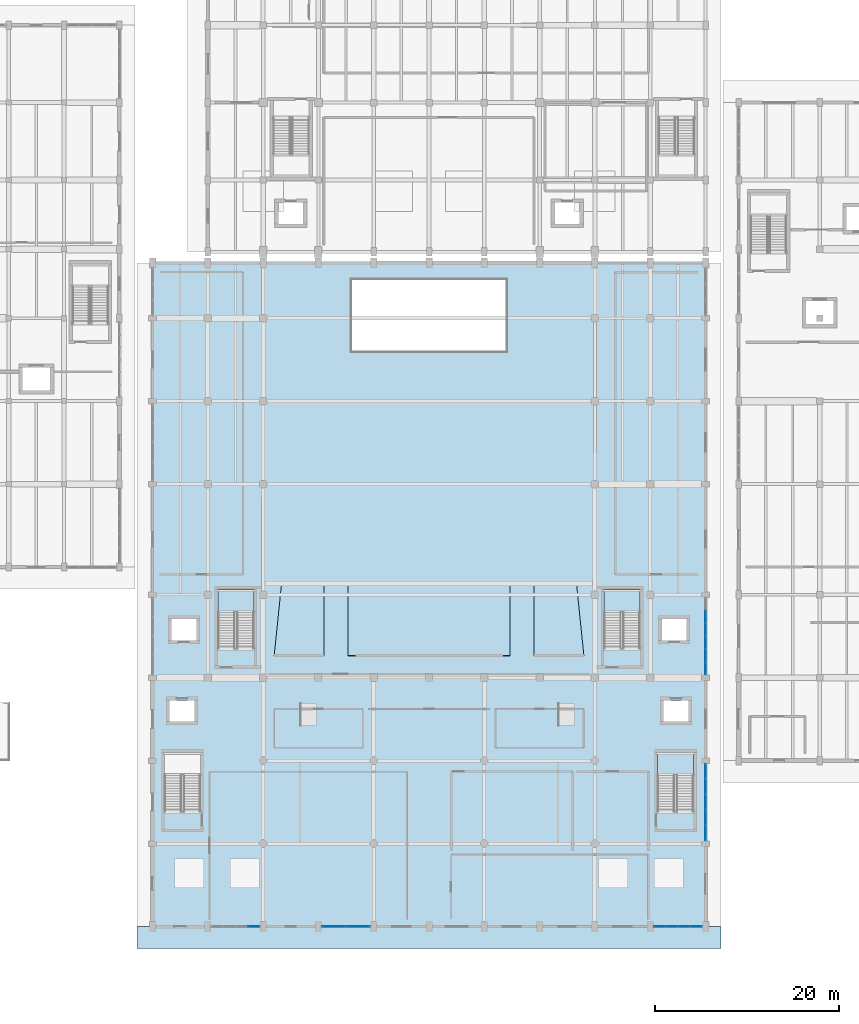
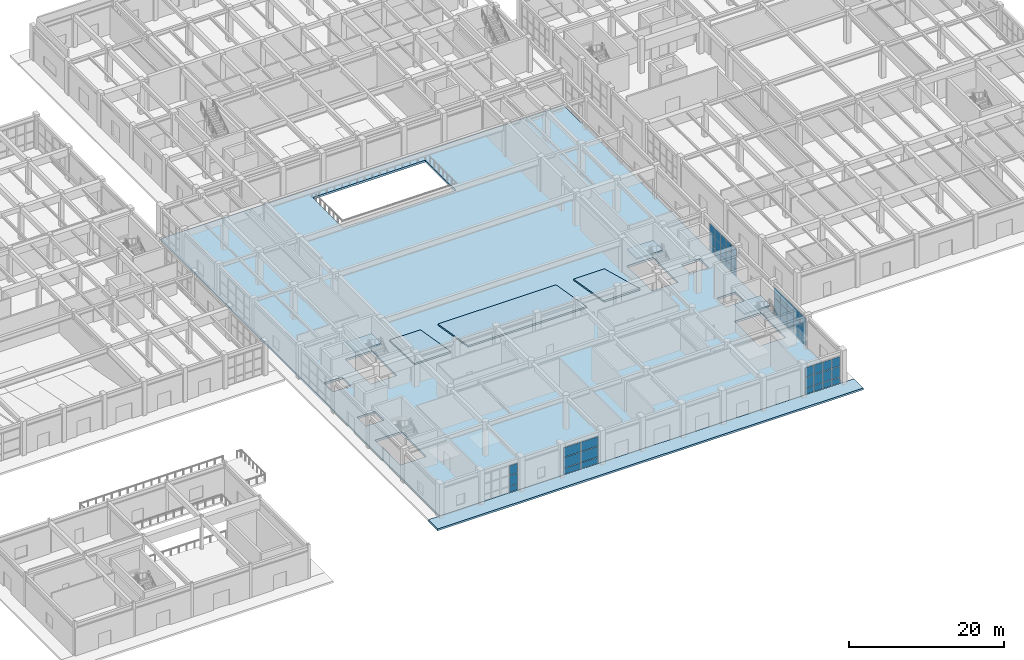
# One storey, part 62 of 91: 51 plates, 8 slabs, 8 elements without a shape of their own.
"""IFC4 building model written with IfcOpenShell, lengths in metres."""

from ifc_helpers import new_model, si_unit, direction, frame, origin, origin_2d, place, context, subcontext, project, spatial, polyline, rectangle, outline, extrude, material, layer, layer_set, type_object, element, aggregate, save


model = new_model("IFC4")

# Units and contexts
model_context = context("Model", 3, precision=1e-05, world=origin(), true_north=direction((0.0, 1.0)))
body_context = subcontext(model_context, "Body", "Model", "MODEL_VIEW")
ifc_project = project(units=[si_unit("LENGTHUNIT", "METRE"), si_unit("AREAUNIT", "SQUARE_METRE"), si_unit("VOLUMEUNIT", "CUBIC_METRE"), si_unit("PLANEANGLEUNIT", "RADIAN"), si_unit("MASSUNIT", "GRAM", prefix="KILO")], contexts=[model_context])

# Site, building, storey
site_placement = place(None, origin())
site = spatial("IfcSite", under=ifc_project, at=site_placement, CompositionType="ELEMENT")
building_placement = place(site_placement, origin())
building = spatial("IfcBuilding", under=site, at=building_placement, Name="Vaelkrest Opera House", CompositionType="ELEMENT")
storey_placement = place(building_placement, origin())
storey = spatial("IfcBuildingStorey", under=building, at=storey_placement, Name="L00", CompositionType="ELEMENT", Elevation=0.0)

# Curtain wall, plates
ifc_material_1 = material(Name="Dark bronze anodized aluminium", Category="aluminium")
ifc_layer_1 = layer(ifc_material_1, 0.179931640625)
ifc_layer_set_1 = layer_set([ifc_layer_1], Name="Dark bronze anodized aluminium")
curtain_wall_type_1 = type_object("IfcCurtainWallType", Name="CW01", PredefinedType="NOTDEFINED", material=ifc_layer_set_1)
curtain_wall_1_placement = place(storey_placement, origin())
curtain_wall_1 = element("IfcCurtainWall", 1, at=curtain_wall_1_placement, inside=storey, type_object=curtain_wall_type_1, Name="Curtain wall CW-L00-018", PredefinedType="NOTDEFINED")
ifc_material_2 = material(Name="Double low-E insulated glazing", Category="glass")
ifc_layer_2 = layer(ifc_material_2, 0.02587890625)
ifc_layer_set_2 = layer_set([ifc_layer_2], Name="Double low-E insulated glazing")
plate_type_1 = type_object("IfcPlateType", Name="CWP01", PredefinedType="CURTAIN_PANEL", material=ifc_layer_set_2)
plate_1_placement = place(storey_placement, frame((30.0, -22.198974609375, 0.06494140625), z_axis=(0.0, 0.0, 1.0), x_axis=(0.0, -1.0, 0.0)))
plate_1 = element("IfcPlate", 2, at=plate_1_placement, type_object=plate_type_1, Name="CW01 panel 2.1", PredefinedType="CURTAIN_PANEL", context=body_context, shape_type="SweptSolid", body=[
    extrude(rectangle(XDim=1.335693359375, YDim=0.02587890625, at=origin_2d()), origin(), (0.0, 0.0, 1.0), 0.952392578125),
])
plate_2_placement = place(storey_placement, frame((30.0, -22.198974609375, 1.08251953125), z_axis=(0.0, 0.0, 1.0), x_axis=(0.0, -1.0, 0.0)))
plate_2 = element("IfcPlate", 3, at=plate_2_placement, type_object=plate_type_1, Name="CW01 panel 2.2", PredefinedType="CURTAIN_PANEL", context=body_context, shape_type="SweptSolid", body=[
    extrude(rectangle(XDim=1.335693359375, YDim=0.02587890625, at=origin_2d()), origin(), (0.0, 0.0, 1.0), 1.635009765625),
])
plate_3_placement = place(storey_placement, frame((30.0, -22.198974609375, 2.78271484375), z_axis=(0.0, 0.0, 1.0), x_axis=(0.0, -1.0, 0.0)))
plate_3 = element("IfcPlate", 4, at=plate_3_placement, type_object=plate_type_1, Name="CW01 panel 2.3", PredefinedType="CURTAIN_PANEL", context=body_context, shape_type="SweptSolid", body=[
    extrude(rectangle(XDim=1.335693359375, YDim=0.02587890625, at=origin_2d()), origin(), (0.0, 0.0, 1.0), 1.556396484375),
])
plate_4_placement = place(storey_placement, frame((30.0, -23.599609375, 0.06494140625), z_axis=(0.0, 0.0, 1.0), x_axis=(0.0, -1.0, 0.0)))
plate_4 = element("IfcPlate", 5, at=plate_4_placement, type_object=plate_type_1, Name="CW01 panel 3.1", PredefinedType="CURTAIN_PANEL", context=body_context, shape_type="SweptSolid", body=[
    extrude(rectangle(XDim=1.335693359375, YDim=0.02587890625, at=origin_2d()), origin(), (0.0, 0.0, 1.0), 0.952392578125),
])
plate_5_placement = place(storey_placement, frame((30.0, -23.599609375, 1.08251953125), z_axis=(0.0, 0.0, 1.0), x_axis=(0.0, -1.0, 0.0)))
plate_5 = element("IfcPlate", 6, at=plate_5_placement, type_object=plate_type_1, Name="CW01 panel 3.2", PredefinedType="CURTAIN_PANEL", context=body_context, shape_type="SweptSolid", body=[
    extrude(rectangle(XDim=1.335693359375, YDim=0.02587890625, at=origin_2d()), origin(), (0.0, 0.0, 1.0), 1.635009765625),
])
plate_6_placement = place(storey_placement, frame((30.0, -23.599609375, 2.78271484375), z_axis=(0.0, 0.0, 1.0), x_axis=(0.0, -1.0, 0.0)))
plate_6 = element("IfcPlate", 7, at=plate_6_placement, type_object=plate_type_1, Name="CW01 panel 3.3", PredefinedType="CURTAIN_PANEL", context=body_context, shape_type="SweptSolid", body=[
    extrude(rectangle(XDim=1.335693359375, YDim=0.02587890625, at=origin_2d()), origin(), (0.0, 0.0, 1.0), 1.556396484375),
])
plate_7_placement = place(storey_placement, frame((30.0, -25.000244140625, 0.06494140625), z_axis=(0.0, 0.0, 1.0), x_axis=(0.0, -1.0, 0.0)))
plate_7 = element("IfcPlate", 8, at=plate_7_placement, type_object=plate_type_1, Name="CW01 panel 4.1", PredefinedType="CURTAIN_PANEL", context=body_context, shape_type="SweptSolid", body=[
    extrude(rectangle(XDim=1.335693359375, YDim=0.02587890625, at=origin_2d()), origin(), (0.0, 0.0, 1.0), 0.952392578125),
])
plate_8_placement = place(storey_placement, frame((30.0, -25.000244140625, 1.08251953125), z_axis=(0.0, 0.0, 1.0), x_axis=(0.0, -1.0, 0.0)))
plate_8 = element("IfcPlate", 9, at=plate_8_placement, type_object=plate_type_1, Name="CW01 panel 4.2", PredefinedType="CURTAIN_PANEL", context=body_context, shape_type="SweptSolid", body=[
    extrude(rectangle(XDim=1.335693359375, YDim=0.02587890625, at=origin_2d()), origin(), (0.0, 0.0, 1.0), 1.635009765625),
])
plate_9_placement = place(storey_placement, frame((30.0, -25.000244140625, 2.78271484375), z_axis=(0.0, 0.0, 1.0), x_axis=(0.0, -1.0, 0.0)))
plate_9 = element("IfcPlate", 10, at=plate_9_placement, type_object=plate_type_1, Name="CW01 panel 4.3", PredefinedType="CURTAIN_PANEL", context=body_context, shape_type="SweptSolid", body=[
    extrude(rectangle(XDim=1.335693359375, YDim=0.02587890625, at=origin_2d()), origin(), (0.0, 0.0, 1.0), 1.556396484375),
])
plate_10_placement = place(storey_placement, frame((30.0, -26.40087890625, 0.06494140625), z_axis=(0.0, 0.0, 1.0), x_axis=(0.0, -1.0, 0.0)))
plate_10 = element("IfcPlate", 11, at=plate_10_placement, type_object=plate_type_1, Name="CW01 panel 5.1", PredefinedType="CURTAIN_PANEL", context=body_context, shape_type="SweptSolid", body=[
    extrude(rectangle(XDim=1.335693359375, YDim=0.02587890625, at=origin_2d()), origin(), (0.0, 0.0, 1.0), 0.952392578125),
])
plate_11_placement = place(storey_placement, frame((30.0, -26.40087890625, 1.08251953125), z_axis=(0.0, 0.0, 1.0), x_axis=(0.0, -1.0, 0.0)))
plate_11 = element("IfcPlate", 12, at=plate_11_placement, type_object=plate_type_1, Name="CW01 panel 5.2", PredefinedType="CURTAIN_PANEL", context=body_context, shape_type="SweptSolid", body=[
    extrude(rectangle(XDim=1.335693359375, YDim=0.02587890625, at=origin_2d()), origin(), (0.0, 0.0, 1.0), 1.635009765625),
])
plate_12_placement = place(storey_placement, frame((30.0, -26.40087890625, 2.78271484375), z_axis=(0.0, 0.0, 1.0), x_axis=(0.0, -1.0, 0.0)))
plate_12 = element("IfcPlate", 13, at=plate_12_placement, type_object=plate_type_1, Name="CW01 panel 5.3", PredefinedType="CURTAIN_PANEL", context=body_context, shape_type="SweptSolid", body=[
    extrude(rectangle(XDim=1.335693359375, YDim=0.02587890625, at=origin_2d()), origin(), (0.0, 0.0, 1.0), 1.556396484375),
])
plate_13_placement = place(storey_placement, frame((30.0, -27.785400390625, 0.06494140625), z_axis=(0.0, 0.0, 1.0), x_axis=(0.0, -1.0, 0.0)))
plate_13 = element("IfcPlate", 14, at=plate_13_placement, type_object=plate_type_1, Name="CW01 panel 6.1", PredefinedType="CURTAIN_PANEL", context=body_context, shape_type="SweptSolid", body=[
    extrude(rectangle(XDim=1.30322265625, YDim=0.02587890625, at=origin_2d()), origin(), (0.0, 0.0, 1.0), 0.952392578125),
])
plate_14_placement = place(storey_placement, frame((30.0, -27.785400390625, 1.08251953125), z_axis=(0.0, 0.0, 1.0), x_axis=(0.0, -1.0, 0.0)))
plate_14 = element("IfcPlate", 15, at=plate_14_placement, type_object=plate_type_1, Name="CW01 panel 6.2", PredefinedType="CURTAIN_PANEL", context=body_context, shape_type="SweptSolid", body=[
    extrude(rectangle(XDim=1.30322265625, YDim=0.02587890625, at=origin_2d()), origin(), (0.0, 0.0, 1.0), 1.635009765625),
])
plate_15_placement = place(storey_placement, frame((30.0, -27.785400390625, 2.78271484375), z_axis=(0.0, 0.0, 1.0), x_axis=(0.0, -1.0, 0.0)))
plate_15 = element("IfcPlate", 16, at=plate_15_placement, type_object=plate_type_1, Name="CW01 panel 6.3", PredefinedType="CURTAIN_PANEL", context=body_context, shape_type="SweptSolid", body=[
    extrude(rectangle(XDim=1.30322265625, YDim=0.02587890625, at=origin_2d()), origin(), (0.0, 0.0, 1.0), 1.556396484375),
])
aggregate(curtain_wall_1, [plate_1, plate_2, plate_3, plate_4, plate_5, plate_6, plate_7, plate_8, plate_9, plate_10, plate_11, plate_12, plate_13, plate_14, plate_15])

ifc_layer_3 = layer(ifc_material_1, 0.18994140625)
ifc_layer_set_3 = layer_set([ifc_layer_3], Name="Dark bronze anodized aluminium")
curtain_wall_type_2 = type_object("IfcCurtainWallType", Name="CW02", PredefinedType="NOTDEFINED", material=ifc_layer_set_3)
curtain_wall_2_placement = place(storey_placement, origin())
curtain_wall_2 = element("IfcCurtainWall", 17, at=curtain_wall_2_placement, inside=storey, type_object=curtain_wall_type_2, Name="Curtain wall CW-L00-011", PredefinedType="NOTDEFINED")
ifc_layer_4 = layer(ifc_material_2, 0.030029296875)
ifc_layer_set_4 = layer_set([ifc_layer_4], Name="Double low-E insulated glazing")
plate_type_2 = type_object("IfcPlateType", Name="CWP02", PredefinedType="CURTAIN_PANEL", material=ifc_layer_set_4)
plate_16_placement = place(storey_placement, frame((28.971435546875, -55.800048828125, 0.06982421875), z_axis=(0.0, 0.0, 1.0), x_axis=(-1.0, 0.0, 0.0)))
plate_16 = element("IfcPlate", 18, at=plate_16_placement, type_object=plate_type_2, Name="CW02 panel 1.1", PredefinedType="CURTAIN_PANEL", context=body_context, shape_type="SweptSolid", body=[
    extrude(rectangle(XDim=1.220947265625, YDim=0.030029296875, at=origin_2d()), origin(), (0.0, 0.0, 1.0), 0.945068359375),
])
plate_17_placement = place(storey_placement, frame((28.971435546875, -55.800048828125, 1.0849609375), z_axis=(0.0, 0.0, 1.0), x_axis=(-1.0, 0.0, 0.0)))
plate_17 = element("IfcPlate", 19, at=plate_17_placement, type_object=plate_type_2, Name="CW02 panel 1.2", PredefinedType="CURTAIN_PANEL", context=body_context, shape_type="SweptSolid", body=[
    extrude(rectangle(XDim=1.220947265625, YDim=0.030029296875, at=origin_2d()), origin(), (0.0, 0.0, 1.0), 1.6298828125),
])
plate_18_placement = place(storey_placement, frame((28.971435546875, -55.800048828125, 2.78515625), z_axis=(0.0, 0.0, 1.0), x_axis=(-1.0, 0.0, 0.0)))
plate_18 = element("IfcPlate", 20, at=plate_18_placement, type_object=plate_type_2, Name="CW02 panel 1.3", PredefinedType="CURTAIN_PANEL", context=body_context, shape_type="SweptSolid", body=[
    extrude(rectangle(XDim=1.220947265625, YDim=0.030029296875, at=origin_2d()), origin(), (0.0, 0.0, 1.0), 1.465087890625),
])
plate_19_placement = place(storey_placement, frame((27.6630859375, -55.800048828125, 0.06982421875), z_axis=(0.0, 0.0, 1.0), x_axis=(-1.0, 0.0, 0.0)))
plate_19 = element("IfcPlate", 21, at=plate_19_placement, type_object=plate_type_2, Name="CW02 panel 2.1", PredefinedType="CURTAIN_PANEL", context=body_context, shape_type="SweptSolid", body=[
    extrude(rectangle(XDim=1.256103515625, YDim=0.030029296875, at=origin_2d()), origin(), (0.0, 0.0, 1.0), 0.945068359375),
])
plate_20_placement = place(storey_placement, frame((27.6630859375, -55.800048828125, 1.0849609375), z_axis=(0.0, 0.0, 1.0), x_axis=(-1.0, 0.0, 0.0)))
plate_20 = element("IfcPlate", 22, at=plate_20_placement, type_object=plate_type_2, Name="CW02 panel 2.2", PredefinedType="CURTAIN_PANEL", context=body_context, shape_type="SweptSolid", body=[
    extrude(rectangle(XDim=1.256103515625, YDim=0.030029296875, at=origin_2d()), origin(), (0.0, 0.0, 1.0), 1.6298828125),
])
plate_21_placement = place(storey_placement, frame((27.6630859375, -55.800048828125, 2.78515625), z_axis=(0.0, 0.0, 1.0), x_axis=(-1.0, 0.0, 0.0)))
plate_21 = element("IfcPlate", 23, at=plate_21_placement, type_object=plate_type_2, Name="CW02 panel 2.3", PredefinedType="CURTAIN_PANEL", context=body_context, shape_type="SweptSolid", body=[
    extrude(rectangle(XDim=1.256103515625, YDim=0.030029296875, at=origin_2d()), origin(), (0.0, 0.0, 1.0), 1.465087890625),
])
plate_22_placement = place(storey_placement, frame((26.3369140625, -55.800048828125, 0.06982421875), z_axis=(0.0, 0.0, 1.0), x_axis=(-1.0, 0.0, 0.0)))
plate_22 = element("IfcPlate", 24, at=plate_22_placement, type_object=plate_type_2, Name="CW02 panel 3.1", PredefinedType="CURTAIN_PANEL", context=body_context, shape_type="SweptSolid", body=[
    extrude(rectangle(XDim=1.256103515625, YDim=0.030029296875, at=origin_2d()), origin(), (0.0, 0.0, 1.0), 0.945068359375),
])
plate_23_placement = place(storey_placement, frame((26.3369140625, -55.800048828125, 1.0849609375), z_axis=(0.0, 0.0, 1.0), x_axis=(-1.0, 0.0, 0.0)))
plate_23 = element("IfcPlate", 25, at=plate_23_placement, type_object=plate_type_2, Name="CW02 panel 3.2", PredefinedType="CURTAIN_PANEL", context=body_context, shape_type="SweptSolid", body=[
    extrude(rectangle(XDim=1.256103515625, YDim=0.030029296875, at=origin_2d()), origin(), (0.0, 0.0, 1.0), 1.6298828125),
])
plate_24_placement = place(storey_placement, frame((26.3369140625, -55.800048828125, 2.78515625), z_axis=(0.0, 0.0, 1.0), x_axis=(-1.0, 0.0, 0.0)))
plate_24 = element("IfcPlate", 26, at=plate_24_placement, type_object=plate_type_2, Name="CW02 panel 3.3", PredefinedType="CURTAIN_PANEL", context=body_context, shape_type="SweptSolid", body=[
    extrude(rectangle(XDim=1.256103515625, YDim=0.030029296875, at=origin_2d()), origin(), (0.0, 0.0, 1.0), 1.465087890625),
])
plate_25_placement = place(storey_placement, frame((25.028564453125, -55.800048828125, 0.06982421875), z_axis=(0.0, 0.0, 1.0), x_axis=(-1.0, 0.0, 0.0)))
plate_25 = element("IfcPlate", 27, at=plate_25_placement, type_object=plate_type_2, Name="CW02 panel 4.1", PredefinedType="CURTAIN_PANEL", context=body_context, shape_type="SweptSolid", body=[
    extrude(rectangle(XDim=1.220947265625, YDim=0.030029296875, at=origin_2d()), origin(), (0.0, 0.0, 1.0), 0.945068359375),
])
plate_26_placement = place(storey_placement, frame((25.028564453125, -55.800048828125, 1.0849609375), z_axis=(0.0, 0.0, 1.0), x_axis=(-1.0, 0.0, 0.0)))
plate_26 = element("IfcPlate", 28, at=plate_26_placement, type_object=plate_type_2, Name="CW02 panel 4.2", PredefinedType="CURTAIN_PANEL", context=body_context, shape_type="SweptSolid", body=[
    extrude(rectangle(XDim=1.220947265625, YDim=0.030029296875, at=origin_2d()), origin(), (0.0, 0.0, 1.0), 1.6298828125),
])
plate_27_placement = place(storey_placement, frame((25.028564453125, -55.800048828125, 2.78515625), z_axis=(0.0, 0.0, 1.0), x_axis=(-1.0, 0.0, 0.0)))
plate_27 = element("IfcPlate", 29, at=plate_27_placement, type_object=plate_type_2, Name="CW02 panel 4.3", PredefinedType="CURTAIN_PANEL", context=body_context, shape_type="SweptSolid", body=[
    extrude(rectangle(XDim=1.220947265625, YDim=0.030029296875, at=origin_2d()), origin(), (0.0, 0.0, 1.0), 1.465087890625),
])
aggregate(curtain_wall_2, [plate_16, plate_17, plate_18, plate_19, plate_20, plate_21, plate_22, plate_23, plate_24, plate_25, plate_26, plate_27])

curtain_wall_3_placement = place(storey_placement, origin())
curtain_wall_3 = element("IfcCurtainWall", 30, at=curtain_wall_3_placement, inside=storey, type_object=curtain_wall_type_2, Name="Curtain wall CW-L00-013", PredefinedType="NOTDEFINED")
plate_28_placement = place(storey_placement, frame((-19.028564453125, -55.800048828125, 0.06982421875), z_axis=(0.0, 0.0, 1.0), x_axis=(-1.0, 0.0, 0.0)))
plate_28 = element("IfcPlate", 31, at=plate_28_placement, type_object=plate_type_2, Name="CW02 panel 1.1", PredefinedType="CURTAIN_PANEL", context=body_context, shape_type="SweptSolid", body=[
    extrude(rectangle(XDim=1.220947265625, YDim=0.030029296875, at=origin_2d()), origin(), (0.0, 0.0, 1.0), 0.945068359375),
])
plate_29_placement = place(storey_placement, frame((-19.028564453125, -55.800048828125, 1.0849609375), z_axis=(0.0, 0.0, 1.0), x_axis=(-1.0, 0.0, 0.0)))
plate_29 = element("IfcPlate", 32, at=plate_29_placement, type_object=plate_type_2, Name="CW02 panel 1.2", PredefinedType="CURTAIN_PANEL", context=body_context, shape_type="SweptSolid", body=[
    extrude(rectangle(XDim=1.220947265625, YDim=0.030029296875, at=origin_2d()), origin(), (0.0, 0.0, 1.0), 1.6298828125),
])
plate_30_placement = place(storey_placement, frame((-19.028564453125, -55.800048828125, 2.78515625), z_axis=(0.0, 0.0, 1.0), x_axis=(-1.0, 0.0, 0.0)))
plate_30 = element("IfcPlate", 33, at=plate_30_placement, type_object=plate_type_2, Name="CW02 panel 1.3", PredefinedType="CURTAIN_PANEL", context=body_context, shape_type="SweptSolid", body=[
    extrude(rectangle(XDim=1.220947265625, YDim=0.030029296875, at=origin_2d()), origin(), (0.0, 0.0, 1.0), 1.465087890625),
])
aggregate(curtain_wall_3, [plate_28, plate_29, plate_30])

ifc_layer_5 = layer(ifc_material_1, 0.199951171875)
ifc_layer_set_5 = layer_set([ifc_layer_5], Name="Dark bronze anodized aluminium")
curtain_wall_type_3 = type_object("IfcCurtainWallType", Name="CW03", PredefinedType="NOTDEFINED", material=ifc_layer_set_5)
curtain_wall_4_placement = place(storey_placement, origin())
curtain_wall_4 = element("IfcCurtainWall", 34, at=curtain_wall_4_placement, inside=storey, type_object=curtain_wall_type_3, Name="Curtain wall CW-L00-019", PredefinedType="NOTDEFINED")
ifc_layer_6 = layer(ifc_material_2, 0.033935546875)
ifc_layer_set_6 = layer_set([ifc_layer_6], Name="Double low-E insulated glazing")
plate_type_3 = type_object("IfcPlateType", Name="CWP03", PredefinedType="CURTAIN_PANEL", material=ifc_layer_set_6)
plate_31_placement = place(storey_placement, frame((30.0, -38.95703125, 0.074951171875), z_axis=(0.0, 0.0, 1.0), x_axis=(0.0, -1.0, 0.0)))
plate_31 = element("IfcPlate", 35, at=plate_31_placement, type_object=plate_type_3, Name="CW03 panel 1.1", PredefinedType="CURTAIN_PANEL", context=body_context, shape_type="SweptSolid", body=[
    extrude(rectangle(XDim=1.568359375, YDim=0.033935546875, at=origin_2d()), origin(), (0.0, 0.0, 1.0), 0.9375),
])
plate_32_placement = place(storey_placement, frame((30.0, -38.95703125, 1.08740234375), z_axis=(0.0, 0.0, 1.0), x_axis=(0.0, -1.0, 0.0)))
plate_32 = element("IfcPlate", 36, at=plate_32_placement, type_object=plate_type_3, Name="CW03 panel 1.2", PredefinedType="CURTAIN_PANEL", context=body_context, shape_type="SweptSolid", body=[
    extrude(rectangle(XDim=1.568359375, YDim=0.033935546875, at=origin_2d()), origin(), (0.0, 0.0, 1.0), 1.625),
])
plate_33_placement = place(storey_placement, frame((30.0, -38.95703125, 2.78759765625), z_axis=(0.0, 0.0, 1.0), x_axis=(0.0, -1.0, 0.0)))
plate_33 = element("IfcPlate", 37, at=plate_33_placement, type_object=plate_type_3, Name="CW03 panel 1.3", PredefinedType="CURTAIN_PANEL", context=body_context, shape_type="SweptSolid", body=[
    extrude(rectangle(XDim=1.568359375, YDim=0.033935546875, at=origin_2d()), origin(), (0.0, 0.0, 1.0), 1.54150390625),
])
plate_34_placement = place(storey_placement, frame((30.0, -40.619140625, 0.074951171875), z_axis=(0.0, 0.0, 1.0), x_axis=(0.0, -1.0, 0.0)))
plate_34 = element("IfcPlate", 38, at=plate_34_placement, type_object=plate_type_3, Name="CW03 panel 2.1", PredefinedType="CURTAIN_PANEL", context=body_context, shape_type="SweptSolid", body=[
    extrude(rectangle(XDim=1.605712890625, YDim=0.033935546875, at=origin_2d()), origin(), (0.0, 0.0, 1.0), 0.9375),
])
plate_35_placement = place(storey_placement, frame((30.0, -40.619140625, 1.08740234375), z_axis=(0.0, 0.0, 1.0), x_axis=(0.0, -1.0, 0.0)))
plate_35 = element("IfcPlate", 39, at=plate_35_placement, type_object=plate_type_3, Name="CW03 panel 2.2", PredefinedType="CURTAIN_PANEL", context=body_context, shape_type="SweptSolid", body=[
    extrude(rectangle(XDim=1.605712890625, YDim=0.033935546875, at=origin_2d()), origin(), (0.0, 0.0, 1.0), 1.625),
])
plate_36_placement = place(storey_placement, frame((30.0, -40.619140625, 2.78759765625), z_axis=(0.0, 0.0, 1.0), x_axis=(0.0, -1.0, 0.0)))
plate_36 = element("IfcPlate", 40, at=plate_36_placement, type_object=plate_type_3, Name="CW03 panel 2.3", PredefinedType="CURTAIN_PANEL", context=body_context, shape_type="SweptSolid", body=[
    extrude(rectangle(XDim=1.605712890625, YDim=0.033935546875, at=origin_2d()), origin(), (0.0, 0.0, 1.0), 1.54150390625),
])
plate_37_placement = place(storey_placement, frame((30.0, -42.300048828125, 0.074951171875), z_axis=(0.0, 0.0, 1.0), x_axis=(0.0, -1.0, 0.0)))
plate_37 = element("IfcPlate", 41, at=plate_37_placement, type_object=plate_type_3, Name="CW03 panel 3.1", PredefinedType="CURTAIN_PANEL", context=body_context, shape_type="SweptSolid", body=[
    extrude(rectangle(XDim=1.605712890625, YDim=0.033935546875, at=origin_2d()), origin(), (0.0, 0.0, 1.0), 0.9375),
])
plate_38_placement = place(storey_placement, frame((30.0, -42.300048828125, 1.08740234375), z_axis=(0.0, 0.0, 1.0), x_axis=(0.0, -1.0, 0.0)))
plate_38 = element("IfcPlate", 42, at=plate_38_placement, type_object=plate_type_3, Name="CW03 panel 3.2", PredefinedType="CURTAIN_PANEL", context=body_context, shape_type="SweptSolid", body=[
    extrude(rectangle(XDim=1.605712890625, YDim=0.033935546875, at=origin_2d()), origin(), (0.0, 0.0, 1.0), 1.625),
])
plate_39_placement = place(storey_placement, frame((30.0, -42.300048828125, 2.78759765625), z_axis=(0.0, 0.0, 1.0), x_axis=(0.0, -1.0, 0.0)))
plate_39 = element("IfcPlate", 43, at=plate_39_placement, type_object=plate_type_3, Name="CW03 panel 3.3", PredefinedType="CURTAIN_PANEL", context=body_context, shape_type="SweptSolid", body=[
    extrude(rectangle(XDim=1.605712890625, YDim=0.033935546875, at=origin_2d()), origin(), (0.0, 0.0, 1.0), 1.54150390625),
])
plate_40_placement = place(storey_placement, frame((30.0, -43.980712890625, 0.074951171875), z_axis=(0.0, 0.0, 1.0), x_axis=(0.0, -1.0, 0.0)))
plate_40 = element("IfcPlate", 44, at=plate_40_placement, type_object=plate_type_3, Name="CW03 panel 4.1", PredefinedType="CURTAIN_PANEL", context=body_context, shape_type="SweptSolid", body=[
    extrude(rectangle(XDim=1.605712890625, YDim=0.033935546875, at=origin_2d()), origin(), (0.0, 0.0, 1.0), 0.9375),
])
plate_41_placement = place(storey_placement, frame((30.0, -43.980712890625, 1.08740234375), z_axis=(0.0, 0.0, 1.0), x_axis=(0.0, -1.0, 0.0)))
plate_41 = element("IfcPlate", 45, at=plate_41_placement, type_object=plate_type_3, Name="CW03 panel 4.2", PredefinedType="CURTAIN_PANEL", context=body_context, shape_type="SweptSolid", body=[
    extrude(rectangle(XDim=1.605712890625, YDim=0.033935546875, at=origin_2d()), origin(), (0.0, 0.0, 1.0), 1.625),
])
plate_42_placement = place(storey_placement, frame((30.0, -43.980712890625, 2.78759765625), z_axis=(0.0, 0.0, 1.0), x_axis=(0.0, -1.0, 0.0)))
plate_42 = element("IfcPlate", 46, at=plate_42_placement, type_object=plate_type_3, Name="CW03 panel 4.3", PredefinedType="CURTAIN_PANEL", context=body_context, shape_type="SweptSolid", body=[
    extrude(rectangle(XDim=1.605712890625, YDim=0.033935546875, at=origin_2d()), origin(), (0.0, 0.0, 1.0), 1.54150390625),
])
plate_43_placement = place(storey_placement, frame((30.0, -45.642822265625, 0.074951171875), z_axis=(0.0, 0.0, 1.0), x_axis=(0.0, -1.0, 0.0)))
plate_43 = element("IfcPlate", 47, at=plate_43_placement, type_object=plate_type_3, Name="CW03 panel 5.1", PredefinedType="CURTAIN_PANEL", context=body_context, shape_type="SweptSolid", body=[
    extrude(rectangle(XDim=1.568359375, YDim=0.033935546875, at=origin_2d()), origin(), (0.0, 0.0, 1.0), 0.9375),
])
plate_44_placement = place(storey_placement, frame((30.0, -45.642822265625, 1.08740234375), z_axis=(0.0, 0.0, 1.0), x_axis=(0.0, -1.0, 0.0)))
plate_44 = element("IfcPlate", 48, at=plate_44_placement, type_object=plate_type_3, Name="CW03 panel 5.2", PredefinedType="CURTAIN_PANEL", context=body_context, shape_type="SweptSolid", body=[
    extrude(rectangle(XDim=1.568359375, YDim=0.033935546875, at=origin_2d()), origin(), (0.0, 0.0, 1.0), 1.625),
])
plate_45_placement = place(storey_placement, frame((30.0, -45.642822265625, 2.78759765625), z_axis=(0.0, 0.0, 1.0), x_axis=(0.0, -1.0, 0.0)))
plate_45 = element("IfcPlate", 49, at=plate_45_placement, type_object=plate_type_3, Name="CW03 panel 5.3", PredefinedType="CURTAIN_PANEL", context=body_context, shape_type="SweptSolid", body=[
    extrude(rectangle(XDim=1.568359375, YDim=0.033935546875, at=origin_2d()), origin(), (0.0, 0.0, 1.0), 1.54150390625),
])
aggregate(curtain_wall_4, [plate_31, plate_32, plate_33, plate_34, plate_35, plate_36, plate_37, plate_38, plate_39, plate_40, plate_41, plate_42, plate_43, plate_44, plate_45])

ifc_layer_7 = layer(ifc_material_1, 0.25)
ifc_layer_set_7 = layer_set([ifc_layer_7], Name="Dark bronze anodized aluminium")
curtain_wall_type_4 = type_object("IfcCurtainWallType", Name="CW08", PredefinedType="NOTDEFINED", material=ifc_layer_set_7)
curtain_wall_5_placement = place(storey_placement, origin())
curtain_wall_5 = element("IfcCurtainWall", 50, at=curtain_wall_5_placement, inside=storey, type_object=curtain_wall_type_4, Name="Curtain wall CW-L00-012", PredefinedType="NOTDEFINED")
ifc_material_3 = material(Name="Dark bronze anodized aluminium spandrel", Category="aluminium")
ifc_layer_8 = layer(ifc_material_3, 0.05810546875)
ifc_layer_set_8 = layer_set([ifc_layer_8], Name="Dark bronze anodized aluminium spandrel")
plate_type_4 = type_object("IfcPlateType", Name="CWP08", PredefinedType="CURTAIN_PANEL", material=ifc_layer_set_8)
plate_46_placement = place(storey_placement, frame((-7.694091796875, -55.800048828125, 0.06982421875), z_axis=(0.0, 0.0, 1.0), x_axis=(-1.0, 0.0, 0.0)))
plate_46 = element("IfcPlate", 51, at=plate_46_placement, type_object=plate_type_4, Name="CW08 panel 1.1", PredefinedType="CURTAIN_PANEL", context=body_context, shape_type="SweptSolid", body=[
    extrude(rectangle(XDim=2.531982421875, YDim=0.05810546875, at=origin_2d()), origin(), (0.0, 0.0, 1.0), 0.945068359375),
])
plate_47_placement = place(storey_placement, frame((-7.694091796875, -55.800048828125, 1.0849609375), z_axis=(0.0, 0.0, 1.0), x_axis=(-1.0, 0.0, 0.0)))
plate_47 = element("IfcPlate", 52, at=plate_47_placement, type_object=plate_type_4, Name="CW08 panel 1.2", PredefinedType="CURTAIN_PANEL", context=body_context, shape_type="SweptSolid", body=[
    extrude(rectangle(XDim=2.531982421875, YDim=0.05810546875, at=origin_2d()), origin(), (0.0, 0.0, 1.0), 1.6298828125),
])
plate_48_placement = place(storey_placement, frame((-7.694091796875, -55.800048828125, 2.78515625), z_axis=(0.0, 0.0, 1.0), x_axis=(-1.0, 0.0, 0.0)))
plate_48 = element("IfcPlate", 53, at=plate_48_placement, type_object=plate_type_4, Name="CW08 panel 1.3", PredefinedType="CURTAIN_PANEL", context=body_context, shape_type="SweptSolid", body=[
    extrude(rectangle(XDim=2.531982421875, YDim=0.05810546875, at=origin_2d()), origin(), (0.0, 0.0, 1.0), 1.465087890625),
])
plate_49_placement = place(storey_placement, frame((-10.305908203125, -55.800048828125, 0.06982421875), z_axis=(0.0, 0.0, 1.0), x_axis=(-1.0, 0.0, 0.0)))
plate_49 = element("IfcPlate", 54, at=plate_49_placement, type_object=plate_type_4, Name="CW08 panel 2.1", PredefinedType="CURTAIN_PANEL", context=body_context, shape_type="SweptSolid", body=[
    extrude(rectangle(XDim=2.531982421875, YDim=0.05810546875, at=origin_2d()), origin(), (0.0, 0.0, 1.0), 0.945068359375),
])
plate_50_placement = place(storey_placement, frame((-10.305908203125, -55.800048828125, 1.0849609375), z_axis=(0.0, 0.0, 1.0), x_axis=(-1.0, 0.0, 0.0)))
plate_50 = element("IfcPlate", 55, at=plate_50_placement, type_object=plate_type_4, Name="CW08 panel 2.2", PredefinedType="CURTAIN_PANEL", context=body_context, shape_type="SweptSolid", body=[
    extrude(rectangle(XDim=2.531982421875, YDim=0.05810546875, at=origin_2d()), origin(), (0.0, 0.0, 1.0), 1.6298828125),
])
plate_51_placement = place(storey_placement, frame((-10.305908203125, -55.800048828125, 2.78515625), z_axis=(0.0, 0.0, 1.0), x_axis=(-1.0, 0.0, 0.0)))
plate_51 = element("IfcPlate", 56, at=plate_51_placement, type_object=plate_type_4, Name="CW08 panel 2.3", PredefinedType="CURTAIN_PANEL", context=body_context, shape_type="SweptSolid", body=[
    extrude(rectangle(XDim=2.531982421875, YDim=0.05810546875, at=origin_2d()), origin(), (0.0, 0.0, 1.0), 1.465087890625),
])
aggregate(curtain_wall_5, [plate_46, plate_47, plate_48, plate_49, plate_50, plate_51])

# Slab
ifc_material_4 = material(Name="Concrete C40/50", Category="concrete")
ifc_layer_9 = layer(ifc_material_4, 0.324951171875)
ifc_layer_set_9 = layer_set([ifc_layer_9], Name="Concrete C40/50")
slab_type_1 = type_object("IfcSlabType", Name="FS05", PredefinedType="FLOOR", material=ifc_layer_set_9)
slab_1_placement = place(storey_placement, frame((0.0, 0.0, -0.324951171875)))
element("IfcSlab", 57, at=slab_1_placement, inside=storey, type_object=slab_type_1, Name="Floor slab SLB-V1-L00-003", PredefinedType="FLOOR", context=body_context, shape_type="SweptSolid", body=[
    extrude(outline(polyline([(-30.0, -55.800048828125), (30.0, -55.800048828125), (30.0, 16.199951171875), (-30.0, 16.199951171875), (-30.0, -55.800048828125)]), holes=[polyline([(-8.39990234375, 6.60009765625), (8.39990234375, 6.60009765625), (8.39990234375, 14.39990234375), (-8.39990234375, 14.39990234375), (-8.39990234375, 6.60009765625)]), polyline([(-19.0, -25.64990234375), (-19.0, -19.199951171875), (-22.89990234375, -19.199951171875), (-22.89990234375, -25.64990234375), (-19.0, -25.64990234375)]), polyline([(22.89990234375, -25.64990234375), (22.89990234375, -19.199951171875), (19.0, -19.199951171875), (19.0, -25.64990234375), (22.89990234375, -25.64990234375)]), polyline([(-24.800048828125, -43.35009765625), (-24.800048828125, -36.89990234375), (-28.699951171875, -36.89990234375), (-28.699951171875, -43.35009765625), (-24.800048828125, -43.35009765625)]), polyline([(28.699951171875, -43.35009765625), (28.699951171875, -36.89990234375), (24.800048828125, -36.89990234375), (24.800048828125, -43.35009765625), (28.699951171875, -43.35009765625)]), polyline([(-27.949951171875, -24.75), (-25.25, -24.75), (-25.25, -22.449951171875), (-27.949951171875, -22.449951171875), (-27.949951171875, -24.75)]), polyline([(25.25, -24.75), (27.949951171875, -24.75), (27.949951171875, -22.449951171875), (25.25, -22.449951171875), (25.25, -24.75)]), polyline([(-28.14990234375, -33.550048828125), (-25.449951171875, -33.550048828125), (-25.449951171875, -31.25), (-28.14990234375, -31.25), (-28.14990234375, -33.550048828125)]), polyline([(25.449951171875, -33.550048828125), (28.14990234375, -33.550048828125), (28.14990234375, -31.25), (25.449951171875, -31.25), (25.449951171875, -33.550048828125)])]), origin(), (0.0, 0.0, 1.0), 0.324951171875),
])

# Stair, slab
stair_type_1 = type_object("IfcStairType", Name="ST01", PredefinedType="TWO_STRAIGHT_RUN_STAIR", material=ifc_material_4)
stair_1_placement = place(storey_placement, origin())
stair_1 = element("IfcStair", 58, at=stair_1_placement, inside=storey, type_object=stair_type_1, Name="L00 Protected exit stair ST01", PredefinedType="TWO_STRAIGHT_RUN_STAIR")
ifc_layer_10 = layer(ifc_material_4, 0.199951171875)
ifc_layer_set_10 = layer_set([ifc_layer_10], Name="Concrete C40/50")
slab_type_2 = type_object("IfcSlabType", Name="SLD01", PredefinedType="LANDING", material=ifc_layer_set_10)
slab_2_placement = place(storey_placement, frame((0.0, 0.0, 2.5)))
slab_2 = element("IfcSlab", 59, at=slab_2_placement, type_object=slab_type_2, Name="ST01 landing 1", PredefinedType="LANDING", context=body_context, shape_type="SweptSolid", body=[
    extrude(outline(polyline([(-19.0, -21.72998046875), (-19.0, -19.199951171875), (-22.89990234375, -19.199951171875), (-22.89990234375, -21.72998046875), (-19.0, -21.72998046875)])), origin(), (0.0, 0.0, 1.0), 0.199951171875),
])
aggregate(stair_1, [slab_2])

stair_type_2 = type_object("IfcStairType", Name="ST02", PredefinedType="TWO_STRAIGHT_RUN_STAIR", material=ifc_material_4)
stair_2_placement = place(storey_placement, origin())
stair_2 = element("IfcStair", 60, at=stair_2_placement, inside=storey, type_object=stair_type_2, Name="L00 Protected exit stair ST02", PredefinedType="TWO_STRAIGHT_RUN_STAIR")
slab_3_placement = place(storey_placement, frame((0.0, 0.0, 2.5)))
slab_3 = element("IfcSlab", 61, at=slab_3_placement, type_object=slab_type_2, Name="ST02 landing 1", PredefinedType="LANDING", context=body_context, shape_type="SweptSolid", body=[
    extrude(outline(polyline([(22.89990234375, -21.72998046875), (22.89990234375, -19.199951171875), (19.0, -19.199951171875), (19.0, -21.72998046875), (22.89990234375, -21.72998046875)])), origin(), (0.0, 0.0, 1.0), 0.199951171875),
])
aggregate(stair_2, [slab_3])

stair_type_3 = type_object("IfcStairType", Name="ST04", PredefinedType="TWO_STRAIGHT_RUN_STAIR", material=ifc_material_4)
stair_3_placement = place(storey_placement, origin())
stair_3 = element("IfcStair", 62, at=stair_3_placement, inside=storey, type_object=stair_type_3, Name="L00 Protected exit stair ST04", PredefinedType="TWO_STRAIGHT_RUN_STAIR")
slab_4_placement = place(storey_placement, frame((0.0, 0.0, 2.5)))
slab_4 = element("IfcSlab", 63, at=slab_4_placement, type_object=slab_type_2, Name="ST04 landing 1", PredefinedType="LANDING", context=body_context, shape_type="SweptSolid", body=[
    extrude(outline(polyline([(28.699951171875, -39.429931640625), (28.699951171875, -36.89990234375), (24.800048828125, -36.89990234375), (24.800048828125, -39.429931640625), (28.699951171875, -39.429931640625)])), origin(), (0.0, 0.0, 1.0), 0.199951171875),
])
aggregate(stair_3, [slab_4])

# Slabs
ifc_layer_11 = layer(ifc_material_4, 0.219970703125)
ifc_layer_set_11 = layer_set([ifc_layer_11], Name="Concrete C40/50")
slab_type_3 = type_object("IfcSlabType", Name="STIER01", PredefinedType="USERDEFINED", material=ifc_layer_set_11)
slab_5_placement = place(storey_placement, frame((-16.0, -18.60009765625, 0.241943359375), z_axis=(0.0, 0.166630730655, 0.986019370804), x_axis=(1.0, 0.0, 0.0)))
element("IfcSlab", 64, at=slab_5_placement, inside=storey, type_object=slab_type_3, Name="Auditorium seating tier L00 sector 1", ObjectType="SEATING TIER", PredefinedType="USERDEFINED", context=body_context, shape_type="SweptSolid", body=[
    extrude(outline(polyline([(0.0, 0.0), (4.60009765625, 0.0), (4.60009765625, -7.910397014956862), (-0.800048828125, -7.910397014956862), (0.0, 0.0)])), origin(), (0.0, 0.0, -1.0), 0.219970703125),
])
slab_6_placement = place(storey_placement, frame((-8.800048828125, -18.60009765625, 0.241943359375), z_axis=(0.0, 0.166630730655, 0.986019370804), x_axis=(1.0, 0.0, 0.0)))
element("IfcSlab", 65, at=slab_6_placement, inside=storey, type_object=slab_type_3, Name="Auditorium seating tier L00 sector 2", ObjectType="SEATING TIER", PredefinedType="USERDEFINED", context=body_context, shape_type="SweptSolid", body=[
    extrude(outline(polyline([(0.0, 0.0), (17.60009765625, 0.0), (17.60009765625, -7.910397014956862), (0.0, -7.910397014956862), (0.0, 0.0)])), origin(), (0.0, 0.0, -1.0), 0.219970703125),
])
slab_7_placement = place(storey_placement, frame((11.39990234375, -18.60009765625, 0.241943359375), z_axis=(0.0, 0.166630730655, 0.986019370804), x_axis=(1.0, 0.0, 0.0)))
element("IfcSlab", 66, at=slab_7_placement, inside=storey, type_object=slab_type_3, Name="Auditorium seating tier L00 sector 3", ObjectType="SEATING TIER", PredefinedType="USERDEFINED", context=body_context, shape_type="SweptSolid", body=[
    extrude(outline(polyline([(0.0, 0.0), (4.60009765625, 0.0), (5.400146484375, -7.910397014956862), (0.0, -7.910397014956862), (0.0, 0.0)])), origin(), (0.0, 0.0, -1.0), 0.219970703125),
])
ifc_layer_12 = layer(ifc_material_4, 0.294921875)
ifc_layer_set_12 = layer_set([ifc_layer_12], Name="Concrete C40/50")
slab_type_4 = type_object("IfcSlabType", Name="TS02", PredefinedType="FLOOR", material=ifc_layer_set_12)
slab_8_placement = place(storey_placement, frame((0.0, 0.0, -0.294921875)))
element("IfcSlab", 67, at=slab_8_placement, inside=storey, type_object=slab_type_4, Name="Exterior plaza walkway SLB-PLZ-V1-S", PredefinedType="FLOOR", context=body_context, shape_type="SweptSolid", body=[
    extrude(outline(polyline([(-31.699951171875, -58.199951171875), (31.699951171875, -58.199951171875), (31.699951171875, -55.800048828125), (-31.699951171875, -55.800048828125), (-31.699951171875, -58.199951171875)])), origin(), (0.0, 0.0, 1.0), 0.294921875),
])

save(model, "model.ifc")
